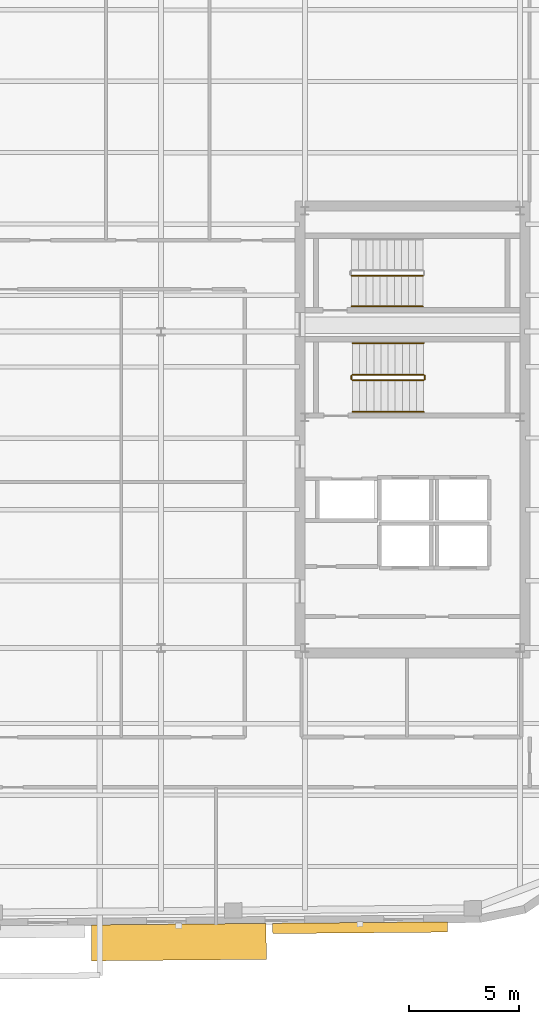
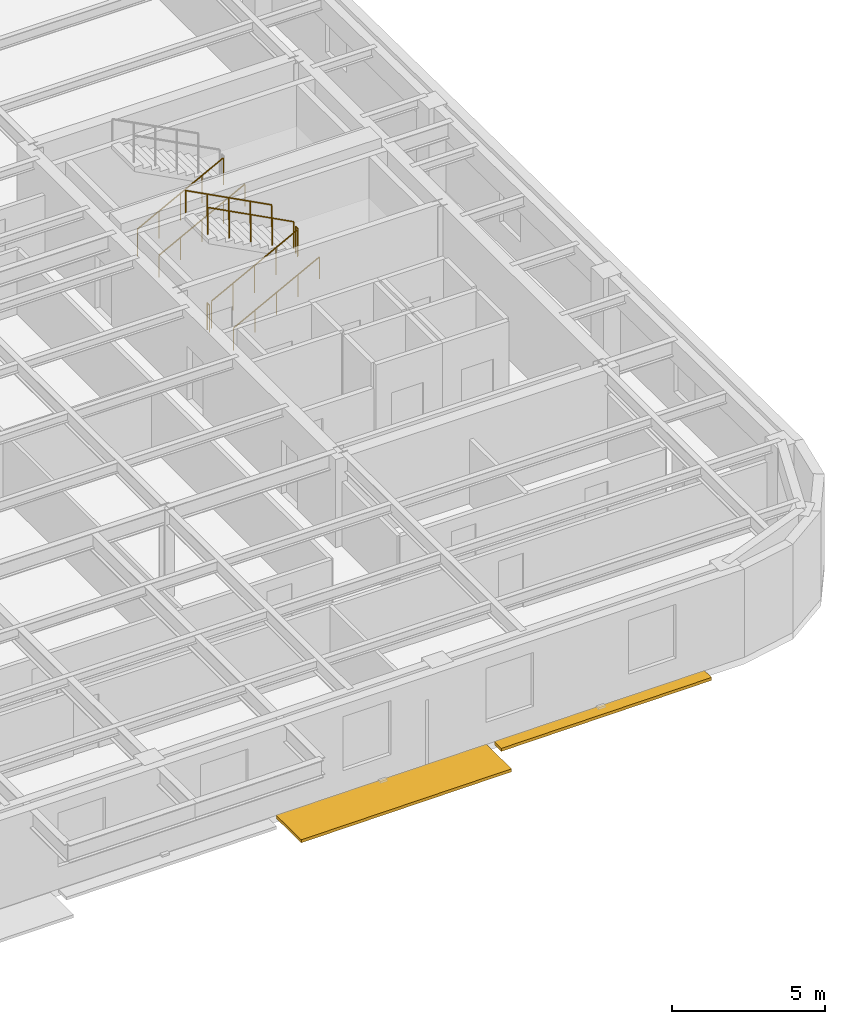
# One storey, part 12 of 14: 8 railings, 2 shading devices.
"""IFC4 building model written with IfcOpenShell, lengths in metres."""

from ifc_helpers import new_model, si_unit, direction, frame, origin, origin_2d, place, context, subcontext, project, spatial, rectangle, circle, extrude, material, type_object, element, save


model = new_model("IFC4")

# Units and contexts
model_context = context("Model", 3, precision=1e-05, world=origin(), true_north=direction((0.0, 1.0)))
body_context = subcontext(model_context, "Body", "Model", "MODEL_VIEW")
ifc_project = project(units=[si_unit("LENGTHUNIT", "METRE"), si_unit("AREAUNIT", "SQUARE_METRE"), si_unit("VOLUMEUNIT", "CUBIC_METRE"), si_unit("PLANEANGLEUNIT", "RADIAN"), si_unit("MASSUNIT", "GRAM", prefix="KILO")], contexts=[model_context])

# Site, building, storey
site_placement = place(None, origin())
site = spatial("IfcSite", under=ifc_project, at=site_placement, CompositionType="ELEMENT")
building_placement = place(site_placement, origin())
building = spatial("IfcBuilding", under=site, at=building_placement, Name="Kolvaren Arena Tower", CompositionType="ELEMENT")
storey_placement = place(building_placement, frame((0.0, 0.0, 308.64990234375)))
storey = spatial("IfcBuildingStorey", under=building, at=storey_placement, Name="L76", CompositionType="ELEMENT", Elevation=308.64990234375)

# Railings
ifc_material_1 = material(Name="Painted galvanized steel", Category="steel")
railing_type_1 = type_object("IfcRailingType", Name="GUARD-ST-110", PredefinedType="GUARDRAIL", material=ifc_material_1)
railing_1_placement = place(storey_placement, frame((52.719970703125, 31.639892578125, 0.170654296875)))
element("IfcRailing", 1, at=railing_1_placement, inside=storey, type_object=railing_type_1, Name="L76 ST-E1 stair guard 1", PredefinedType="GUARDRAIL", context=body_context, shape_type="SweptSolid", body=[
    extrude(circle(Radius=0.02392578125, at=origin_2d()), frame((0.0, 0.0, 1.076171875), z_axis=(0.885020909582, 0.0, 0.465551274945), x_axis=(0.0, 1.0, 0.0)), (0.0, 0.0, 1.0), 3.660888671875),
    extrude(circle(Radius=0.02099609375, at=origin_2d()), origin(), (0.0, 0.0, 1.0), 1.052001953125),
    extrude(circle(Radius=0.02099609375, at=origin_2d()), frame((0.81005859375, 0.0, 0.426025390625)), (0.0, 0.0, 1.0), 1.052001953125),
    extrude(circle(Radius=0.02099609375, at=origin_2d()), frame((1.6201171875, 0.0, 0.85205078125)), (0.0, 0.0, 1.0), 1.052001953125),
    extrude(circle(Radius=0.02099609375, at=origin_2d()), frame((2.429931640625, 0.0, 1.2783203125)), (0.0, 0.0, 1.0), 1.052001953125),
    extrude(circle(Radius=0.02099609375, at=origin_2d()), frame((3.239990234375, 0.0, 1.704345703125)), (0.0, 0.0, 1.0), 1.052001953125),
])
railing_2_placement = place(storey_placement, frame((56.010009765625, 31.68994140625, 1.875)))
element("IfcRailing", 2, at=railing_2_placement, inside=storey, type_object=railing_type_1, Name="L76 ST-E1 stair guard 2", PredefinedType="GUARDRAIL", context=body_context, shape_type="SweptSolid", body=[
    extrude(circle(Radius=0.02392578125, at=origin_2d()), frame((0.0, 0.0, 1.076171875), z_axis=(0.0, 1.0, 0.0), x_axis=(-1.0, 0.0, 0.0)), (0.0, 0.0, 1.0), 0.150146484375),
    extrude(circle(Radius=0.02099609375, at=origin_2d()), origin(), (0.0, 0.0, 1.0), 1.052001953125),
    extrude(circle(Radius=0.02099609375, at=origin_2d()), frame((0.0, 0.150146484375, 0.0)), (0.0, 0.0, 1.0), 1.052001953125),
])
railing_3_placement = place(storey_placement, frame((55.9599609375, 31.889892578125, 2.045654296875)))
element("IfcRailing", 3, at=railing_3_placement, inside=storey, type_object=railing_type_1, Name="L76 ST-E1 stair guard 3", PredefinedType="GUARDRAIL", context=body_context, shape_type="SweptSolid", body=[
    extrude(circle(Radius=0.02392578125, at=origin_2d()), frame((0.0, 0.0, 1.076171875), z_axis=(-0.885020909582, 0.0, 0.465551274945), x_axis=(0.0, -1.0, 0.0)), (0.0, 0.0, 1.0), 3.660888671875),
    extrude(circle(Radius=0.02099609375, at=origin_2d()), origin(), (0.0, 0.0, 1.0), 1.052001953125),
    extrude(circle(Radius=0.02099609375, at=origin_2d()), frame((-0.81005859375, 0.0, 0.426025390625)), (0.0, 0.0, 1.0), 1.052001953125),
    extrude(circle(Radius=0.02099609375, at=origin_2d()), frame((-1.6201171875, 0.0, 0.85205078125)), (0.0, 0.0, 1.0), 1.052001953125),
    extrude(circle(Radius=0.02099609375, at=origin_2d()), frame((-2.429931640625, 0.0, 1.2783203125)), (0.0, 0.0, 1.0), 1.052001953125),
    extrude(circle(Radius=0.02099609375, at=origin_2d()), frame((-3.239990234375, 0.0, 1.704345703125)), (0.0, 0.0, 1.0), 1.052001953125),
])
railing_4_placement = place(storey_placement, frame((52.669921875, 31.68994140625, 0.0)))
element("IfcRailing", 4, at=railing_4_placement, inside=storey, type_object=railing_type_1, Name="L76 ST-E1 stair guard 4", PredefinedType="GUARDRAIL", context=body_context, shape_type="SweptSolid", body=[
    extrude(circle(Radius=0.02392578125, at=origin_2d()), frame((0.0, 0.0, 1.076171875), z_axis=(0.0, 1.0, 0.0), x_axis=(-1.0, 0.0, 0.0)), (0.0, 0.0, 1.0), 0.150146484375),
    extrude(circle(Radius=0.02099609375, at=origin_2d()), origin(), (0.0, 0.0, 1.0), 1.052001953125),
    extrude(circle(Radius=0.02099609375, at=origin_2d()), frame((0.0, 0.150146484375, 0.0)), (0.0, 0.0, 1.0), 1.052001953125),
])
railing_5_placement = place(storey_placement, frame((52.679931640625, 36.39990234375, 0.170654296875)))
element("IfcRailing", 5, at=railing_5_placement, inside=storey, type_object=railing_type_1, Name="L76 ST-E2 stair guard 1", PredefinedType="GUARDRAIL", context=body_context, shape_type="SweptSolid", body=[
    extrude(circle(Radius=0.02392578125, at=origin_2d()), frame((0.0, 0.0, 1.076171875), z_axis=(0.885020909582, 0.0, 0.465551274945), x_axis=(0.0, 1.0, 0.0)), (0.0, 0.0, 1.0), 3.660888671875),
    extrude(circle(Radius=0.02099609375, at=origin_2d()), origin(), (0.0, 0.0, 1.0), 1.052001953125),
    extrude(circle(Radius=0.02099609375, at=origin_2d()), frame((0.81005859375, 0.0, 0.426025390625)), (0.0, 0.0, 1.0), 1.052001953125),
    extrude(circle(Radius=0.02099609375, at=origin_2d()), frame((1.6201171875, 0.0, 0.85205078125)), (0.0, 0.0, 1.0), 1.052001953125),
    extrude(circle(Radius=0.02099609375, at=origin_2d()), frame((2.429931640625, 0.0, 1.2783203125)), (0.0, 0.0, 1.0), 1.052001953125),
    extrude(circle(Radius=0.02099609375, at=origin_2d()), frame((3.239990234375, 0.0, 1.704345703125)), (0.0, 0.0, 1.0), 1.052001953125),
])
ifc_material_2 = material(Name="Brushed stainless steel handrail", Category="steel")
railing_type_2 = type_object("IfcRailingType", Name="HRAIL-900", PredefinedType="HANDRAIL", material=ifc_material_2)
railing_6_placement = place(storey_placement, frame((52.719970703125, 30.199951171875, 0.170654296875)))
element("IfcRailing", 6, at=railing_6_placement, inside=storey, type_object=railing_type_2, Name="L76 ST-E1 stair handrail 1", PredefinedType="HANDRAIL", context=body_context, shape_type="SweptSolid", body=[
    extrude(circle(Radius=0.02392578125, at=origin_2d()), frame((0.0, 0.0, 0.8759765625), z_axis=(0.885020909582, 0.0, 0.465551274945), x_axis=(0.0, 1.0, 0.0)), (0.0, 0.0, 1.0), 3.660888671875),
    extrude(circle(Radius=0.02099609375, at=origin_2d()), origin(), (0.0, 0.0, 1.0), 0.851806640625),
    extrude(circle(Radius=0.02099609375, at=origin_2d()), frame((0.81005859375, 0.0, 0.426025390625)), (0.0, 0.0, 1.0), 0.851806640625),
    extrude(circle(Radius=0.02099609375, at=origin_2d()), frame((1.6201171875, 0.0, 0.85205078125)), (0.0, 0.0, 1.0), 0.851806640625),
    extrude(circle(Radius=0.02099609375, at=origin_2d()), frame((2.429931640625, 0.0, 1.2783203125)), (0.0, 0.0, 1.0), 0.851806640625),
    extrude(circle(Radius=0.02099609375, at=origin_2d()), frame((3.239990234375, 0.0, 1.704345703125)), (0.0, 0.0, 1.0), 0.851806640625),
])
railing_7_placement = place(storey_placement, frame((55.9599609375, 33.330078125, 2.045654296875)))
element("IfcRailing", 7, at=railing_7_placement, inside=storey, type_object=railing_type_2, Name="L76 ST-E1 stair handrail 2", PredefinedType="HANDRAIL", context=body_context, shape_type="SweptSolid", body=[
    extrude(circle(Radius=0.02392578125, at=origin_2d()), frame((0.0, 0.0, 0.8759765625), z_axis=(-0.885020909582, 0.0, 0.465551274945), x_axis=(0.0, -1.0, 0.0)), (0.0, 0.0, 1.0), 3.660888671875),
    extrude(circle(Radius=0.02099609375, at=origin_2d()), origin(), (0.0, 0.0, 1.0), 0.851806640625),
    extrude(circle(Radius=0.02099609375, at=origin_2d()), frame((-0.81005859375, 0.0, 0.426025390625)), (0.0, 0.0, 1.0), 0.851806640625),
    extrude(circle(Radius=0.02099609375, at=origin_2d()), frame((-1.6201171875, 0.0, 0.85205078125)), (0.0, 0.0, 1.0), 0.851806640625),
    extrude(circle(Radius=0.02099609375, at=origin_2d()), frame((-2.429931640625, 0.0, 1.2783203125)), (0.0, 0.0, 1.0), 0.851806640625),
    extrude(circle(Radius=0.02099609375, at=origin_2d()), frame((-3.239990234375, 0.0, 1.704345703125)), (0.0, 0.0, 1.0), 0.851806640625),
])
railing_8_placement = place(storey_placement, frame((52.679931640625, 35.0, 0.170654296875)))
element("IfcRailing", 8, at=railing_8_placement, inside=storey, type_object=railing_type_2, Name="L76 ST-E2 stair handrail 1", PredefinedType="HANDRAIL", context=body_context, shape_type="SweptSolid", body=[
    extrude(circle(Radius=0.02392578125, at=origin_2d()), frame((0.0, 0.0, 0.8759765625), z_axis=(0.885020909582, 0.0, 0.465551274945), x_axis=(0.0, 1.0, 0.0)), (0.0, 0.0, 1.0), 3.660888671875),
    extrude(circle(Radius=0.02099609375, at=origin_2d()), origin(), (0.0, 0.0, 1.0), 0.851806640625),
    extrude(circle(Radius=0.02099609375, at=origin_2d()), frame((0.81005859375, 0.0, 0.426025390625)), (0.0, 0.0, 1.0), 0.851806640625),
    extrude(circle(Radius=0.02099609375, at=origin_2d()), frame((1.6201171875, 0.0, 0.85205078125)), (0.0, 0.0, 1.0), 0.851806640625),
    extrude(circle(Radius=0.02099609375, at=origin_2d()), frame((2.429931640625, 0.0, 1.2783203125)), (0.0, 0.0, 1.0), 0.851806640625),
    extrude(circle(Radius=0.02099609375, at=origin_2d()), frame((3.239990234375, 0.0, 1.704345703125)), (0.0, 0.0, 1.0), 0.851806640625),
])

# Shading devices
ifc_material_3 = material(Name="Architectural precast GFRC and anodised aluminium sunshade", Category="concrete")
shading_device_type_1 = type_object("IfcShadingDeviceType", Name="SHAD-SINE-A", PredefinedType="USERDEFINED", material=ifc_material_3)
shading_device_1_placement = place(storey_placement, frame((53.067626953125, 6.7119140625, -0.139892578125), z_axis=(0.0, 0.0, 1.0), x_axis=(-0.999961923064, -0.008726535498, 0.0)))
element("IfcShadingDevice", 9, at=shading_device_1_placement, inside=storey, type_object=shading_device_type_1, Name="Sinusoidal Slab-Edge Sunshade Louvre (L76)", ObjectType="LOUVRE", PredefinedType="USERDEFINED", context=body_context, shape_type="SweptSolid", body=[
    extrude(rectangle(XDim=7.9599609375, YDim=0.468994140625, at=origin_2d()), origin(), (0.0, 0.0, 1.0), 0.1201171875),
])
shading_device_type_2 = type_object("IfcShadingDeviceType", Name="SHAD-SINE-B", PredefinedType="JALOUSIE", material=ifc_material_3)
shading_device_2_placement = place(storey_placement, frame((44.81298828125, 6.0556640625, -0.139892578125), z_axis=(0.0, 0.0, 1.0), x_axis=(-0.999961923064, -0.008726535498, 0.0)))
element("IfcShadingDevice", 10, at=shading_device_2_placement, inside=storey, type_object=shading_device_type_2, Name="Sinusoidal Slab-Edge Sunshade Louvre (L76)", PredefinedType="JALOUSIE", context=body_context, shape_type="SweptSolid", body=[
    extrude(rectangle(XDim=7.9599609375, YDim=1.63720703125, at=origin_2d()), origin(), (0.0, 0.0, 1.0), 0.1201171875),
])

save(model, "model.ifc")
